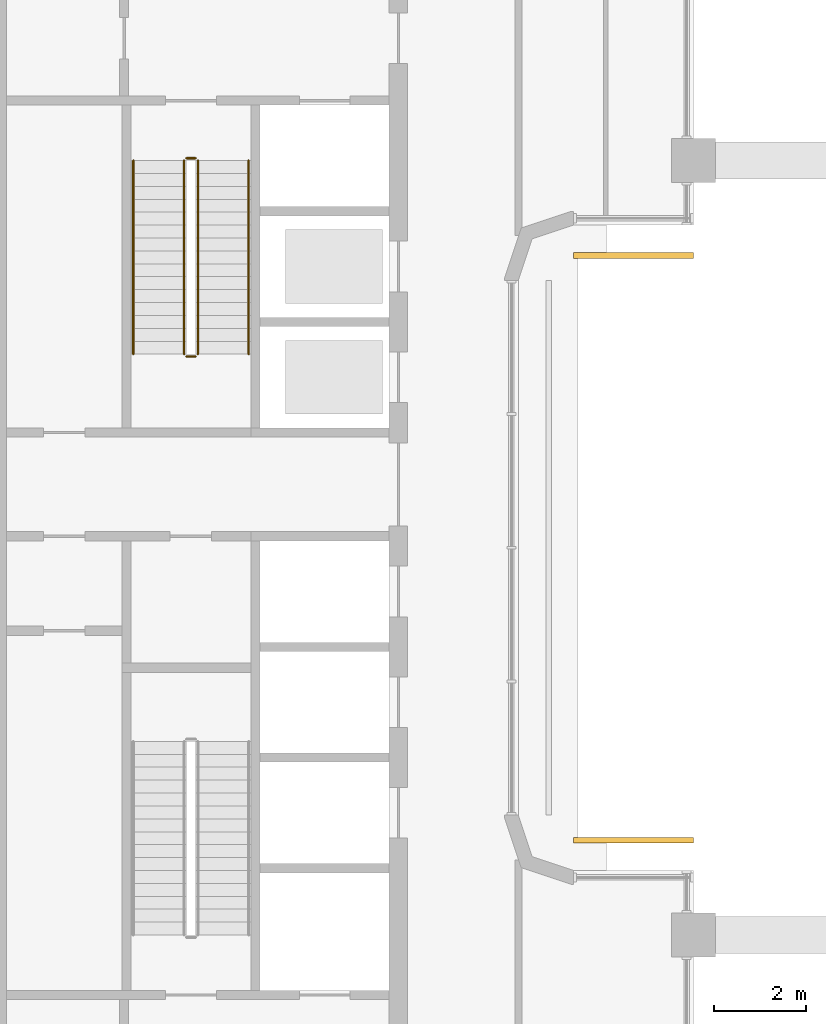
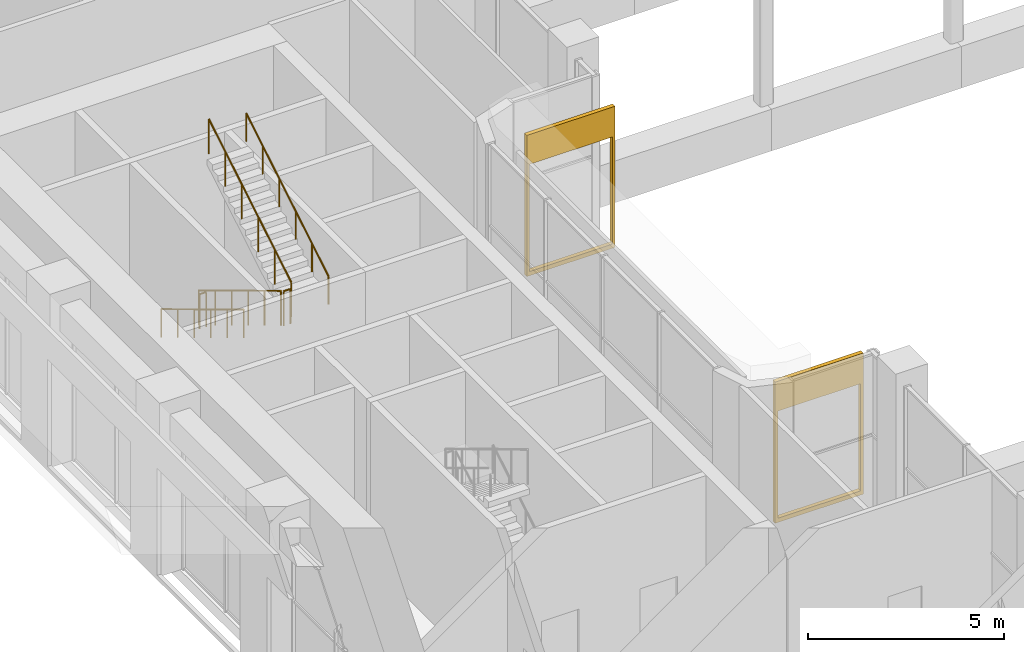
# One storey, part 23 of 28: 6 railings, 2 coverings.
"""IFC4 building model written with IfcOpenShell, lengths in metres."""

from ifc_helpers import new_model, si_unit, direction, frame, origin, origin_2d, place, context, subcontext, project, spatial, polyline, circle, outline, extrude, material, layer, layer_set, type_object, element, save


model = new_model("IFC4")

# Units and contexts
model_context = context("Model", 3, precision=1e-05, world=origin(), true_north=direction((0.0, 1.0)))
body_context = subcontext(model_context, "Body", "Model", "MODEL_VIEW")
ifc_project = project(units=[si_unit("LENGTHUNIT", "METRE"), si_unit("AREAUNIT", "SQUARE_METRE"), si_unit("VOLUMEUNIT", "CUBIC_METRE"), si_unit("PLANEANGLEUNIT", "RADIAN"), si_unit("MASSUNIT", "GRAM", prefix="KILO")], contexts=[model_context])

# Site, building, storey
site_placement = place(None, origin())
site = spatial("IfcSite", under=ifc_project, at=site_placement, CompositionType="ELEMENT")
building_placement = place(site_placement, origin())
building = spatial("IfcBuilding", under=site, at=building_placement, Name="Kiln Ring Residences", CompositionType="ELEMENT")
storey_placement = place(building_placement, frame((0.0, 0.0, 125.300048828125)))
storey = spatial("IfcBuildingStorey", under=building, at=storey_placement, Name="L32", CompositionType="ELEMENT", Elevation=125.300048828125)

# Railings
ifc_material_1 = material(Name="Stainless steel", Category="steel")
railing_type_1 = type_object("IfcRailingType", Name="CORE-STAIR-GUARD", PredefinedType="GUARDRAIL", material=ifc_material_1)
railing_1_placement = place(storey_placement, frame((-22.25, 8.39990234375, 0.168701171875)))
element("IfcRailing", 1, at=railing_1_placement, inside=storey, type_object=railing_type_1, Name="L32 W-STN stair guard 1", PredefinedType="GUARDRAIL", context=body_context, shape_type="SweptSolid", body=[
    extrude(circle(Radius=0.02392578125, at=origin_2d()), frame((0.0, 0.0, 1.076171875), z_axis=(0.0, -0.856476492594, 0.516186030065), x_axis=(1.0, 0.0, 0.0)), (0.0, 0.0, 1.0), 4.90380859375),
    extrude(circle(Radius=0.02099609375, at=origin_2d()), origin(), (0.0, 0.0, 1.0), 1.052001953125),
    extrude(circle(Radius=0.02099609375, at=origin_2d()), frame((0.0, -0.840087890625, 0.50634765625)), (0.0, 0.0, 1.0), 1.052001953125),
    extrude(circle(Radius=0.02099609375, at=origin_2d()), frame((0.0, -1.679931640625, 1.012451171875)), (0.0, 0.0, 1.0), 1.052001953125),
    extrude(circle(Radius=0.02099609375, at=origin_2d()), frame((0.0, -2.52001953125, 1.518798828125)), (0.0, 0.0, 1.0), 1.052001953125),
    extrude(circle(Radius=0.02099609375, at=origin_2d()), frame((0.0, -3.35986328125, 2.02490234375)), (0.0, 0.0, 1.0), 1.052001953125),
    extrude(circle(Radius=0.02099609375, at=origin_2d()), frame((0.0, -4.199951171875, 2.53125)), (0.0, 0.0, 1.0), 1.052001953125),
])
railing_2_placement = place(storey_placement, frame((-22.199951171875, 4.14990234375, 2.699951171875)))
element("IfcRailing", 2, at=railing_2_placement, inside=storey, type_object=railing_type_1, Name="L32 W-STN stair guard 2", PredefinedType="GUARDRAIL", context=body_context, shape_type="SweptSolid", body=[
    extrude(circle(Radius=0.02392578125, at=origin_2d()), frame((0.0, 0.0, 1.076171875), z_axis=(1.0, 0.0, 0.0), x_axis=(0.0, 1.0, 0.0)), (0.0, 0.0, 1.0), 0.199951171875),
    extrude(circle(Radius=0.02099609375, at=origin_2d()), origin(), (0.0, 0.0, 1.0), 1.052001953125),
    extrude(circle(Radius=0.02099609375, at=origin_2d()), frame((0.199951171875, 0.0, 0.0)), (0.0, 0.0, 1.0), 1.052001953125),
])
railing_3_placement = place(storey_placement, frame((-21.949951171875, 4.199951171875, 2.86865234375)))
element("IfcRailing", 3, at=railing_3_placement, inside=storey, type_object=railing_type_1, Name="L32 W-STN stair guard 3", PredefinedType="GUARDRAIL", context=body_context, shape_type="SweptSolid", body=[
    extrude(circle(Radius=0.02392578125, at=origin_2d()), frame((0.0, 0.0, 1.076171875), z_axis=(0.0, 0.856476492594, 0.516186030065), x_axis=(-1.0, 0.0, 0.0)), (0.0, 0.0, 1.0), 4.90380859375),
    extrude(circle(Radius=0.02099609375, at=origin_2d()), origin(), (0.0, 0.0, 1.0), 1.052001953125),
    extrude(circle(Radius=0.02099609375, at=origin_2d()), frame((0.0, 0.840087890625, 0.50634765625)), (0.0, 0.0, 1.0), 1.052001953125),
    extrude(circle(Radius=0.02099609375, at=origin_2d()), frame((0.0, 1.679931640625, 1.012451171875)), (0.0, 0.0, 1.0), 1.052001953125),
    extrude(circle(Radius=0.02099609375, at=origin_2d()), frame((0.0, 2.52001953125, 1.518798828125)), (0.0, 0.0, 1.0), 1.052001953125),
    extrude(circle(Radius=0.02099609375, at=origin_2d()), frame((0.0, 3.35986328125, 2.02490234375)), (0.0, 0.0, 1.0), 1.052001953125),
    extrude(circle(Radius=0.02099609375, at=origin_2d()), frame((0.0, 4.199951171875, 2.53125)), (0.0, 0.0, 1.0), 1.052001953125),
])
railing_4_placement = place(storey_placement, frame((-22.199951171875, 8.449951171875, 0.0)))
element("IfcRailing", 4, at=railing_4_placement, inside=storey, type_object=railing_type_1, Name="L32 W-STN stair guard 4", PredefinedType="GUARDRAIL", context=body_context, shape_type="SweptSolid", body=[
    extrude(circle(Radius=0.02392578125, at=origin_2d()), frame((0.0, 0.0, 1.076171875), z_axis=(1.0, 0.0, 0.0), x_axis=(0.0, 1.0, 0.0)), (0.0, 0.0, 1.0), 0.199951171875),
    extrude(circle(Radius=0.02099609375, at=origin_2d()), origin(), (0.0, 0.0, 1.0), 1.052001953125),
    extrude(circle(Radius=0.02099609375, at=origin_2d()), frame((0.199951171875, 0.0, 0.0)), (0.0, 0.0, 1.0), 1.052001953125),
])
ifc_material_2 = material(Name="Stainless steel", Category="steel")
railing_type_2 = type_object("IfcRailingType", Name="CORE-STAIR-HANDRAIL", PredefinedType="HANDRAIL", material=ifc_material_2)
railing_5_placement = place(storey_placement, frame((-23.35009765625, 8.39990234375, 0.168701171875)))
element("IfcRailing", 5, at=railing_5_placement, inside=storey, type_object=railing_type_2, Name="L32 W-STN stair handrail 1", PredefinedType="HANDRAIL", context=body_context, shape_type="SweptSolid", body=[
    extrude(circle(Radius=0.02392578125, at=origin_2d()), frame((0.0, 0.0, 0.8759765625), z_axis=(0.0, -0.856476492594, 0.516186030065), x_axis=(1.0, 0.0, 0.0)), (0.0, 0.0, 1.0), 4.90380859375),
    extrude(circle(Radius=0.02099609375, at=origin_2d()), origin(), (0.0, 0.0, 1.0), 0.851806640625),
    extrude(circle(Radius=0.02099609375, at=origin_2d()), frame((0.0, -0.840087890625, 0.50634765625)), (0.0, 0.0, 1.0), 0.851806640625),
    extrude(circle(Radius=0.02099609375, at=origin_2d()), frame((0.0, -1.679931640625, 1.012451171875)), (0.0, 0.0, 1.0), 0.851806640625),
    extrude(circle(Radius=0.02099609375, at=origin_2d()), frame((0.0, -2.52001953125, 1.518798828125)), (0.0, 0.0, 1.0), 0.851806640625),
    extrude(circle(Radius=0.02099609375, at=origin_2d()), frame((0.0, -3.35986328125, 2.02490234375)), (0.0, 0.0, 1.0), 0.851806640625),
    extrude(circle(Radius=0.02099609375, at=origin_2d()), frame((0.0, -4.199951171875, 2.53125)), (0.0, 0.0, 1.0), 0.851806640625),
])
railing_6_placement = place(storey_placement, frame((-20.85009765625, 4.199951171875, 2.86865234375)))
element("IfcRailing", 6, at=railing_6_placement, inside=storey, type_object=railing_type_2, Name="L32 W-STN stair handrail 2", PredefinedType="HANDRAIL", context=body_context, shape_type="SweptSolid", body=[
    extrude(circle(Radius=0.02392578125, at=origin_2d()), frame((0.0, 0.0, 0.8759765625), z_axis=(0.0, 0.856476492594, 0.516186030065), x_axis=(-1.0, 0.0, 0.0)), (0.0, 0.0, 1.0), 4.90380859375),
    extrude(circle(Radius=0.02099609375, at=origin_2d()), origin(), (0.0, 0.0, 1.0), 0.851806640625),
    extrude(circle(Radius=0.02099609375, at=origin_2d()), frame((0.0, 0.840087890625, 0.50634765625)), (0.0, 0.0, 1.0), 0.851806640625),
    extrude(circle(Radius=0.02099609375, at=origin_2d()), frame((0.0, 1.679931640625, 1.012451171875)), (0.0, 0.0, 1.0), 0.851806640625),
    extrude(circle(Radius=0.02099609375, at=origin_2d()), frame((0.0, 2.52001953125, 1.518798828125)), (0.0, 0.0, 1.0), 0.851806640625),
    extrude(circle(Radius=0.02099609375, at=origin_2d()), frame((0.0, 3.35986328125, 2.02490234375)), (0.0, 0.0, 1.0), 0.851806640625),
    extrude(circle(Radius=0.02099609375, at=origin_2d()), frame((0.0, 4.199951171875, 2.53125)), (0.0, 0.0, 1.0), 0.851806640625),
])

# Coverings
ifc_material_3 = material(Name="Brick masonry, dark clay brick", Category="masonry")
ifc_layer = layer(ifc_material_3, 0.1201171875)
ifc_layer_set = layer_set([ifc_layer], Name="RAINSCREEN PANEL 120")
covering_type = type_object("IfcCoveringType", Name="RAINSCREEN PANEL 120", PredefinedType="CLADDING", material=ifc_layer_set)
for number, where, z_axis, x_axis, name in (
    (7, (-11.199951171875, -6.340087890625, 0.0), (0.0, 0.0, 1.0), (-1.0, 0.0, 0.0), "RAINSCREEN L32"),
    (8, (-13.800048828125, 6.340087890625, 0.0), (0.0, 0.0, 1.0), (1.0, 0.0, 0.0), "RAINSCREEN L32"),
):
    element("IfcCovering", number, at=place(storey_placement, frame(where, z_axis=z_axis, x_axis=x_axis)), inside=storey, type_object=covering_type, Name=name, PredefinedType="CLADDING", context=body_context, shape_type="SweptSolid", body=[
        extrude(outline(polyline([(0.0, 0.0), (2.60009765625, 0.0), (2.60009765625, 4.39990234375), (0.0, 4.39990234375), (0.0, 0.0)]), holes=[polyline([(0.080078125, 3.469970703125), (0.080078125, 0.1298828125), (2.52001953125, 0.1298828125), (2.52001953125, 3.469970703125), (0.080078125, 3.469970703125)])]), frame((0.0, 0.06005859375, 0.0), z_axis=(0.0, -1.0, 0.0), x_axis=(1.0, 0.0, 0.0)), (0.0, 0.0, 1.0), 0.1201171875),
    ])

save(model, "model.ifc")
